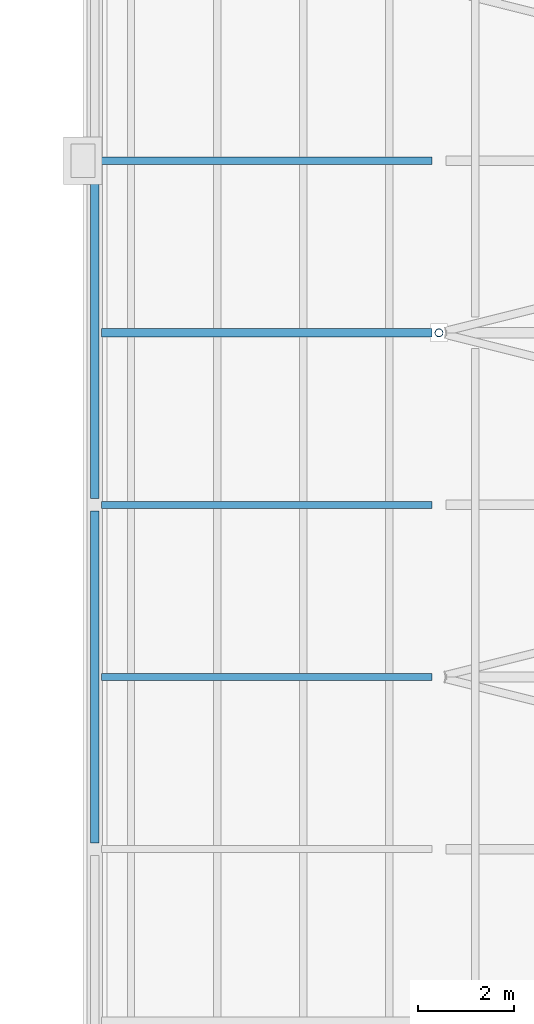
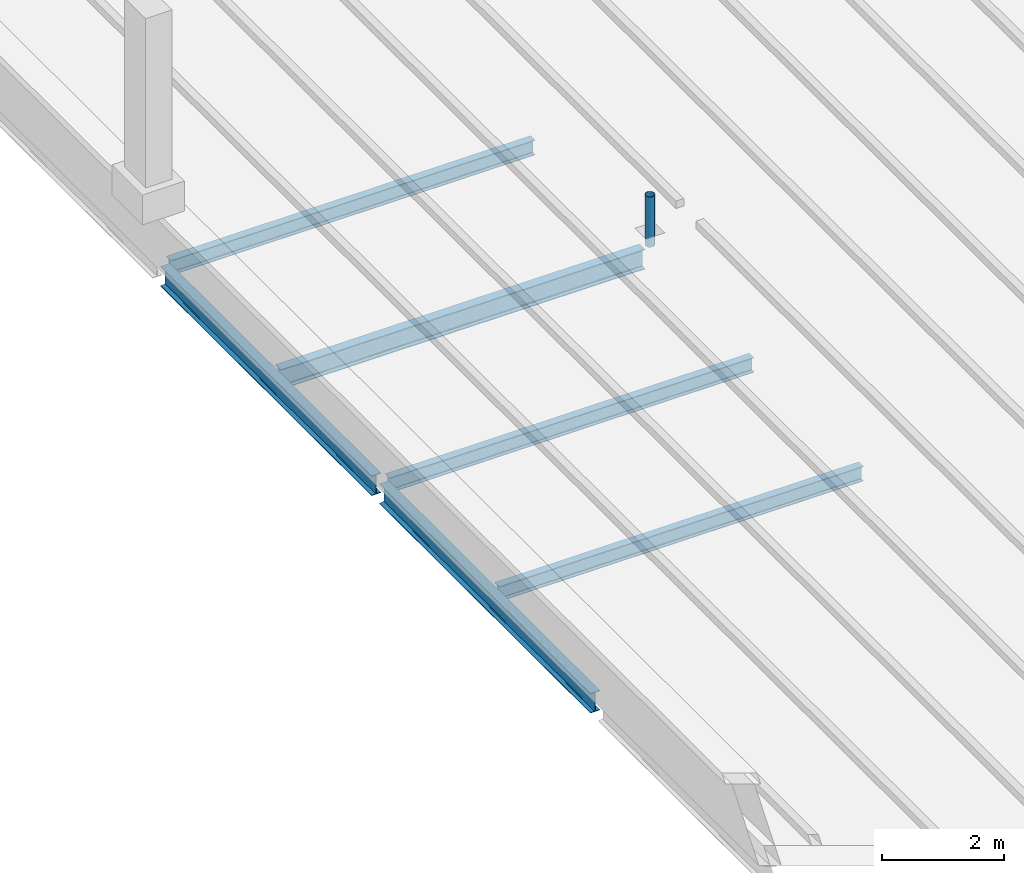
# One storey, part 22 of 120: 6 beams, 1 member.
"""IFC4 building model written with IfcOpenShell, lengths in metres."""

from ifc_helpers import new_model, si_unit, direction, frame, origin, origin_2d, place, context, subcontext, project, spatial, hollow_circle, i_section, extrude, material, material_profile, profile_set, type_object, element, save


model = new_model("IFC4")

# Units and contexts
model_context = context("Model", 3, precision=1e-05, world=origin(), true_north=direction((0.0, 1.0)))
body_context = subcontext(model_context, "Body", "Model", "MODEL_VIEW")
ifc_project = project(units=[si_unit("LENGTHUNIT", "METRE"), si_unit("AREAUNIT", "SQUARE_METRE"), si_unit("VOLUMEUNIT", "CUBIC_METRE"), si_unit("PLANEANGLEUNIT", "RADIAN"), si_unit("MASSUNIT", "GRAM", prefix="KILO")], contexts=[model_context])

# Site, building, storey
site_placement = place(None, origin())
site = spatial("IfcSite", under=ifc_project, at=site_placement, CompositionType="ELEMENT")
building_placement = place(site_placement, origin())
building = spatial("IfcBuilding", under=site, at=building_placement, Name="Kupolbacken Congress Centre", CompositionType="ELEMENT")
storey_placement = place(building_placement, frame((0.0, 0.0, 21.60009765625)))
storey = spatial("IfcBuildingStorey", under=building, at=storey_placement, Name="L06", CompositionType="ELEMENT", Elevation=21.60009765625)

# Beams
ifc_material_1 = material(Name="Steel S355", Category="steel")
ifc_material_profile_1 = material_profile(ifc_material_1, i_section(OverallWidth=0.14990234375, OverallDepth=0.300048828125, WebThickness=0.007080078125, FlangeThickness=0.0107421875, FilletRadius=0.014892578125, at=origin_2d()), Name="IPE 300")
ifc_profile_set_1 = profile_set([ifc_material_profile_1], Name="Steel S355")
beam_type_1 = type_object("IfcBeamType", Name="B04 beam IPE 300", PredefinedType="BEAM", material=ifc_profile_set_1)
for number, where, z_axis, x_axis, name in (
    (1, (86.5400390625, 90.0, -0.150146484375), (1.0, 0.0, 0.0), (0.0, 1.0, 0.0), "HR/P13-00"),
    (2, (86.5400390625, 93.60009765625, -0.150146484375), (1.0, 0.0, 0.0), (0.0, 1.0, 0.0), "HR/P14-00"),
    (3, (86.5400390625, 100.800048828125, -0.150146484375), (1.0, 0.0, 0.0), (0.0, 1.0, 0.0), "HR/P16-00"),
):
    element("IfcBeam", number, at=place(storey_placement, frame(where, z_axis=z_axis, x_axis=x_axis)), inside=storey, type_object=beam_type_1, Name=name, PredefinedType="BEAM", context=body_context, shape_type="SweptSolid", body=[
        extrude(i_section(OverallWidth=0.14990234375, OverallDepth=0.300048828125, WebThickness=0.007080078125, FlangeThickness=0.0107421875, FilletRadius=0.014892578125, at=origin_2d()), origin(), (0.0, 0.0, 1.0), 6.9150390625),
    ])
ifc_material_2 = material(Name="Steel S355", Category="steel")
ifc_material_profile_2 = material_profile(ifc_material_2, i_section(OverallWidth=0.179931640625, OverallDepth=0.39990234375, WebThickness=0.008544921875, FlangeThickness=0.013427734375, FilletRadius=0.02099609375, at=origin_2d()), Name="IPE 400")
ifc_profile_set_2 = profile_set([ifc_material_profile_2], Name="Steel S355")
beam_type_2 = type_object("IfcBeamType", Name="B07 beam IPE 400", PredefinedType="BEAM", material=ifc_profile_set_2)
for number, where, z_axis, x_axis, name in (
    (4, (86.39990234375, 86.530029296875, -0.2001953125), (0.0, 1.0, 0.0), (-1.0, 0.0, 0.0), "HR/GW07"),
    (5, (86.39990234375, 93.72998046875, -0.2001953125), (0.0, 1.0, 0.0), (-1.0, 0.0, 0.0), "HR/GW08"),
):
    element("IfcBeam", number, at=place(storey_placement, frame(where, z_axis=z_axis, x_axis=x_axis)), inside=storey, type_object=beam_type_2, Name=name, PredefinedType="BEAM", context=body_context, shape_type="SweptSolid", body=[
        extrude(i_section(OverallWidth=0.179931640625, OverallDepth=0.39990234375, WebThickness=0.008544921875, FlangeThickness=0.013427734375, FilletRadius=0.02099609375, at=origin_2d()), origin(), (0.0, 0.0, 1.0), 6.93994140625),
    ])
beam_placement = place(storey_placement, frame((86.5400390625, 97.199951171875, -0.2001953125), z_axis=(1.0, 0.0, 0.0), x_axis=(0.0, 1.0, 0.0)))
element("IfcBeam", 6, at=beam_placement, inside=storey, type_object=beam_type_2, Name="HR/X15-00", PredefinedType="BEAM", context=body_context, shape_type="SweptSolid", body=[
    extrude(i_section(OverallWidth=0.179931640625, OverallDepth=0.39990234375, WebThickness=0.008544921875, FlangeThickness=0.013427734375, FilletRadius=0.02099609375, at=origin_2d()), origin(), (0.0, 0.0, 1.0), 6.9150390625),
])

# Member
ifc_material_3 = material(Name="Steel S355", Category="steel")
ifc_material_profile_3 = material_profile(ifc_material_3, hollow_circle(Radius=0.084228515625, WallThickness=0.008056640625, at=origin_2d()), Name="CHS 168.3 x 8")
ifc_profile_set_3 = profile_set([ifc_material_profile_3], Name="Steel S355")
member_type = type_object("IfcMemberType", Name="M20 transfer truss post CHS 168.3 x 8", PredefinedType="STRUT", material=ifc_profile_set_3)
member_placement = place(storey_placement, frame((93.60009765625, 97.199951171875, -0.010009765625), z_axis=(0.0, 0.0, 1.0), x_axis=(1.0, 0.0, 0.0)))
element("IfcMember", 7, at=member_placement, inside=storey, type_object=member_type, Name="Roof stay anchor post M1N.1", PredefinedType="STRUT", context=body_context, shape_type="SweptSolid", body=[
    extrude(hollow_circle(Radius=0.084228515625, WallThickness=0.008056640625, at=origin_2d()), origin(), (0.0, 0.0, 1.0), 1.010009765625),
])

save(model, "model.ifc")
